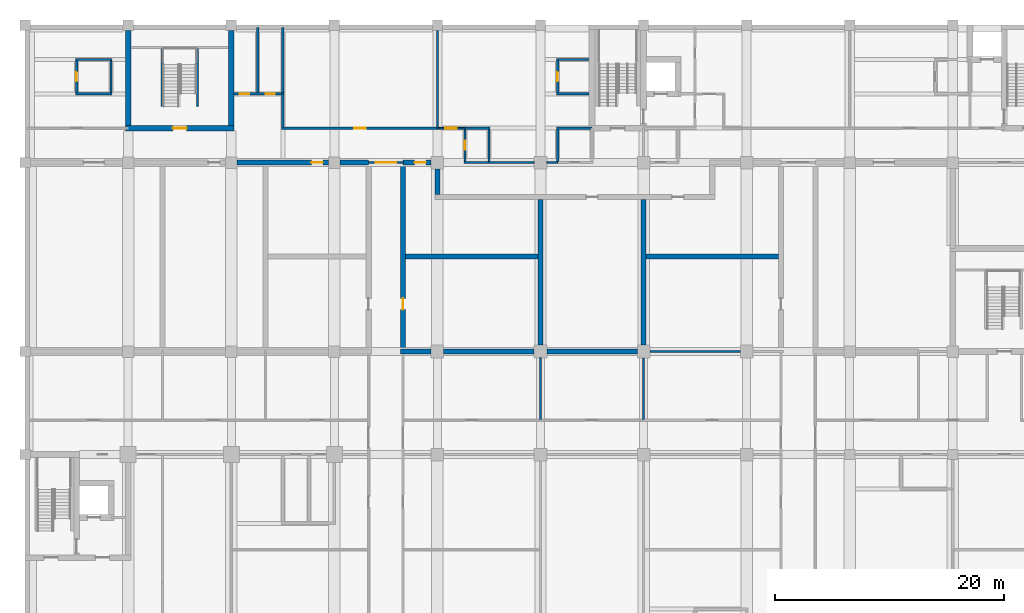
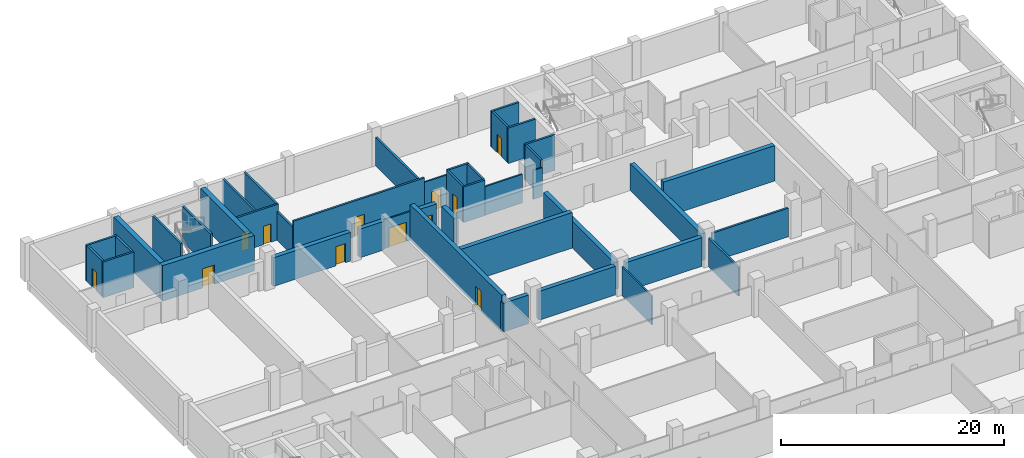
# One storey, part 8 of 16: 43 walls, 12 doors, 12 openings.
"""IFC4 building model written with IfcOpenShell, lengths in metres."""

import ifcopenshell
import ifcopenshell.guid

model = None  # the IFC model being written
_history = None  # IfcOwnerHistory: only IFC2X3 demands one
_inside = {}  # id of a spatial element -> (the spatial element, [elements in it])
_under = {}  # id of a project, library or spatial element -> (it, [spatial elements below it])
_declared = {}  # id of a project -> (the project, [libraries it declares])
_typed = {}  # id of a type object -> (the type object, [elements of that type])
_made_of = {}  # id of a material, layer set ... -> (it, [elements and type objects made of it])


def new_model(schema):
    """Start an empty IFC model of exactly this schema.

    Asked for "IFC4X3", IfcOpenShell would pick the latest addendum, in which some entities
    have other attributes; the version numbers below select the first issue.
    IFC2X3 requires an IfcOwnerHistory on every rooted entity: one is made here for all.
    """
    global model, _history
    if schema == "IFC4X3":
        model = ifcopenshell.file(schema_version=(4, 3, 0, 0))
    else:
        model = ifcopenshell.file(schema=schema)
    _inside.clear()
    _under.clear()
    _declared.clear()
    _typed.clear()
    _made_of.clear()
    _history = None
    if model.schema == "IFC2X3":
        org = make("IfcOrganization", Name="unknown")
        user = make(
            "IfcPersonAndOrganization",
            ThePerson=make("IfcPerson", FamilyName="unknown"),
            TheOrganization=org,
        )
        app = make(
            "IfcApplication",
            ApplicationDeveloper=org,
            Version="unknown",
            ApplicationFullName="unknown",
            ApplicationIdentifier="unknown",
        )
        _history = make(
            "IfcOwnerHistory",
            OwningUser=user,
            OwningApplication=app,
            ChangeAction="ADDED",
            CreationDate=0,
        )
    return model


def make(cls, **values):
    """One entity of the class cls with the attributes given. An attribute that is None is left unset."""
    return model.create_entity(
        cls, **{name: value for name, value in values.items() if value is not None}
    )


def rooted(cls, **values):
    """An entity with a GlobalId (a new one), such as an element, a storey or a relation."""
    return make(cls, GlobalId=ifcopenshell.guid.new(), OwnerHistory=_history, **values)


def si_unit(unit_type, name, prefix=None):
    """IfcSIUnit, for example si_unit("LENGTHUNIT", "METRE", prefix="MILLI")."""
    return make("IfcSIUnit", UnitType=unit_type, Prefix=prefix, Name=name)


def assignment(units):
    """IfcUnitAssignment: the units of a project."""
    return None if units is None else make("IfcUnitAssignment", Units=units)


def point(xyz):
    """IfcCartesianPoint."""
    return None if xyz is None else make("IfcCartesianPoint", Coordinates=xyz)


def direction(xyz):
    """IfcDirection."""
    return None if xyz is None else make("IfcDirection", DirectionRatios=xyz)


def frame(location, z_axis=None, x_axis=None):
    """IfcAxis2Placement3D, a coordinate frame: its origin and axes. An axis left out is left unset."""
    return make(
        "IfcAxis2Placement3D",
        Location=point(location),
        Axis=direction(z_axis),
        RefDirection=direction(x_axis),
    )


def frame_2d(location, x_axis=None):
    """IfcAxis2Placement2D, a coordinate frame in the plane: its origin and x axis."""
    return make(
        "IfcAxis2Placement2D", Location=point(location), RefDirection=direction(x_axis)
    )


def origin():
    """The frame at (0, 0, 0) with its axes left unset."""
    return frame((0.0, 0.0, 0.0))


def place(relative_to, where):
    """IfcLocalPlacement: puts the frame where relative to a parent placement (None: the world)."""
    return make(
        "IfcLocalPlacement", PlacementRelTo=relative_to, RelativePlacement=where
    )


def context(
    kind, dimensions, precision=None, world=None, true_north=None, identifier=None
):
    """IfcGeometricRepresentationContext, for example the 3D "Model" context."""
    return make(
        "IfcGeometricRepresentationContext",
        ContextIdentifier=identifier,
        ContextType=kind,
        CoordinateSpaceDimension=dimensions,
        Precision=precision,
        WorldCoordinateSystem=world,
        TrueNorth=true_north,
    )


def subcontext(parent, identifier, kind, view, scale=None):
    """IfcGeometricRepresentationSubContext, for example "Body" below "Model"."""
    return make(
        "IfcGeometricRepresentationSubContext",
        ContextIdentifier=identifier,
        ContextType=kind,
        ParentContext=parent,
        TargetScale=scale,
        TargetView=view,
    )


def project(units=None, contexts=None):
    """IfcProject with its units and contexts."""
    return rooted(
        "IfcProject",
        Name="project",
        RepresentationContexts=contexts,
        UnitsInContext=assignment(units),
    )


def spatial(cls, under=None, at=None, **own):
    """A site, building, storey or space (cls), placed at a placement, below another one or the project."""
    s = rooted(cls, ObjectPlacement=at, **own)
    if under is not None:
        _under.setdefault(under.id(), (under, []))[1].append(s)
    return s


def profile(cls, at=None, kind="AREA", **sizes):
    """A parametric profile (cls). Its sizes go by their IFC names, for example OverallWidth=200.0."""
    return make(cls, ProfileType=kind, Position=at, **sizes)


def rectangle(**sizes):
    """IfcRectangleProfileDef."""
    return profile("IfcRectangleProfileDef", **sizes)


def extrude(swept, where, along, depth):
    """IfcExtrudedAreaSolid: the profile swept, set in the frame where, extruded along a direction by depth."""
    return make(
        "IfcExtrudedAreaSolid",
        SweptArea=swept,
        Position=where,
        ExtrudedDirection=direction(along),
        Depth=depth,
    )


def shape(context_of_items, identifier, shape_type, items):
    """IfcShapeRepresentation: the items that make up one representation, for example the "Body"."""
    return make(
        "IfcShapeRepresentation",
        ContextOfItems=context_of_items,
        RepresentationIdentifier=identifier,
        RepresentationType=shape_type,
        Items=items,
    )


def material(Name=None, Category=None):
    """IfcMaterial."""
    return make("IfcMaterial", Name=Name, Category=Category)


def layer(
    of_material, thickness, ventilated=None, Name=None, Category=None, Priority=None
):
    """IfcMaterialLayer: one layer of a wall or slab, of a material (None: an air gap)."""
    return make(
        "IfcMaterialLayer",
        Material=of_material,
        LayerThickness=thickness,
        IsVentilated=ventilated,
        Name=Name,
        Category=Category,
        Priority=Priority,
    )


def layer_set(layers, Name=None):
    """IfcMaterialLayerSet."""
    return make("IfcMaterialLayerSet", MaterialLayers=layers, LayerSetName=Name)


def made_of(thing, what):
    """Note that an element or type object is made of a material, layer set ...; save() writes the relation."""
    if what is not None:
        _made_of.setdefault(what.id(), (what, []))[1].append(thing)
    return thing


def type_object(cls, material=None, **own):
    """A type object (cls), such as IfcWallType, which elements share."""
    return made_of(rooted(cls, **own), material)


def element(
    cls,
    number,
    at=None,
    inside=None,
    cuts=None,
    type_object=None,
    material=None,
    context=None,
    identifier="Body",
    shape_type=None,
    held_by="IfcProductDefinitionShape",
    body=None,
    shapes=None,
    **own,
):
    """One element of the class cls, such as IfcWall. Its Tag is "e" and its number.

    at: its placement. inside: the storey or other place that contains it. cuts: it is an
    opening in that element (IfcRelVoidsElement). A single representation is given by context,
    identifier, shape_type and body (its items); several are given by shapes. held_by: the class
    of the entity that holds the representations. save() writes the other relations.
    """
    e = rooted(cls, Tag="e%d" % number, ObjectPlacement=at, **own)
    if body is not None:
        shapes = [shape(context, identifier, shape_type, body)]
    if shapes is not None:
        e.Representation = make(held_by, Representations=shapes)
    if inside is not None:
        _inside.setdefault(inside.id(), (inside, []))[1].append(e)
    if cuts is not None:
        rooted(
            "IfcRelVoidsElement", RelatingBuildingElement=cuts, RelatedOpeningElement=e
        )
    if type_object is not None:
        _typed.setdefault(type_object.id(), (type_object, []))[1].append(e)
    return made_of(e, material)


def fill(opening, filler):
    """IfcRelFillsElement: the door or window that sits in an opening."""
    return rooted(
        "IfcRelFillsElement",
        RelatingOpeningElement=opening,
        RelatedBuildingElement=filler,
    )


def aggregate(whole, parts):
    """IfcRelAggregates: a whole, such as a stair, and the parts it consists of."""
    return rooted("IfcRelAggregates", RelatingObject=whole, RelatedObjects=parts)


def save(model, path):
    """Write the relations noted so far, then the file.

    IfcRelAggregates (storeys below a building ...), IfcRelContainedInSpatialStructure (elements
    in a storey), IfcRelDefinesByType, IfcRelAssociatesMaterial and IfcRelDeclares: one each for
    every whole, place, type object, material and project.
    """
    for whole, parts in _under.values():
        aggregate(whole, parts)
    for where, things in _inside.values():
        rooted(
            "IfcRelContainedInSpatialStructure",
            RelatedElements=things,
            RelatingStructure=where,
        )
    for kind, things in _typed.values():
        rooted("IfcRelDefinesByType", RelatedObjects=things, RelatingType=kind)
    for what, things in _made_of.values():
        rooted("IfcRelAssociatesMaterial", RelatedObjects=things, RelatingMaterial=what)
    for by, libraries in _declared.values():
        rooted("IfcRelDeclares", RelatingContext=by, RelatedDefinitions=libraries)
    model.write(path)


model = new_model("IFC4")

# Units and contexts
model_context = context("Model", 3, precision=1e-05, world=origin(), true_north=direction((0.0, 1.0)))
body_context = subcontext(model_context, "Body", "Model", "MODEL_VIEW")
ifc_project = project(units=[si_unit("LENGTHUNIT", "METRE"), si_unit("AREAUNIT", "SQUARE_METRE"), si_unit("VOLUMEUNIT", "CUBIC_METRE"), si_unit("PLANEANGLEUNIT", "RADIAN"), si_unit("MASSUNIT", "GRAM", prefix="KILO")], contexts=[model_context])

# Site, building, storey
site_placement = place(None, origin())
site = spatial("IfcSite", under=ifc_project, at=site_placement, CompositionType="ELEMENT")
building_placement = place(site_placement, origin())
building = spatial("IfcBuilding", under=site, at=building_placement, Name="Aurelan Courthouse", CompositionType="ELEMENT")
storey_placement = place(building_placement, frame((0.0, 0.0, -4.199951171875)))
storey = spatial("IfcBuildingStorey", under=building, at=storey_placement, Name="B1", CompositionType="ELEMENT", Elevation=-4.199951171875)

# Walls
ifc_material_1 = material(Name="Reinforced concrete block", Category="concrete")
ifc_layer_1 = layer(ifc_material_1, 0.449951171875)
ifc_layer_set_1 = layer_set([ifc_layer_1], Name="Reinforced concrete block")
wall_type_1 = type_object("IfcWallType", Name="Archive fire wall 450 EI 60", PredefinedType="PARTITIONING", material=ifc_layer_set_1)
wall_1_placement = place(storey_placement, frame((32.77490234375, 37.5, 0.0), z_axis=(0.0, 0.0, 1.0), x_axis=(1.0, 0.0, 0.0)))
element("IfcWall", 1, at=wall_1_placement, inside=storey, type_object=wall_type_1, Name="Archive fire wall B1-046", PredefinedType="PARTITIONING", context=body_context, shape_type="SweptSolid", body=[
    extrude(rectangle(XDim=2.675048828125, YDim=0.449951171875, at=frame_2d((1.33740234375, 0.0))), origin(), (0.0, 0.0, 1.0), 3.14990234375),
])
for number, where, z_axis, x_axis, name in (
    (2, (36.550048828125, 37.5, 0.0), (0.0, 0.0, 1.0), (1.0, 0.0, 0.0), "Archive fire wall B1-047"),
    (3, (45.550048828125, 37.5, 0.0), (0.0, 0.0, 1.0), (1.0, 0.0, 0.0), "Archive fire wall B1-048"),
):
    element("IfcWall", number, at=place(storey_placement, frame(where, z_axis=z_axis, x_axis=x_axis)), inside=storey, type_object=wall_type_1, Name=name, PredefinedType="PARTITIONING", context=body_context, shape_type="SweptSolid", body=[
        extrude(rectangle(XDim=7.89990234375, YDim=0.449951171875, at=frame_2d((3.949951171875, 0.0))), origin(), (0.0, 0.0, 1.0), 3.14990234375),
    ])
for number, where, z_axis, x_axis, name in (
    (4, (33.22509765625, 45.800048828125, 0.0), (0.0, 0.0, 1.0), (1.0, 0.0, 0.0), "Archive fire wall B1-055"),
    (5, (54.22509765625, 45.800048828125, 0.0), (0.0, 0.0, 1.0), (1.0, 0.0, 0.0), "Archive fire wall B1-056"),
):
    element("IfcWall", number, at=place(storey_placement, frame(where, z_axis=z_axis, x_axis=x_axis)), inside=storey, type_object=wall_type_1, Name=name, PredefinedType="PARTITIONING", context=body_context, shape_type="SweptSolid", body=[
        extrude(rectangle(XDim=11.5498046875, YDim=0.449951171875, at=frame_2d((5.77490234375, 0.0))), origin(), (0.0, 0.0, 1.0), 3.89990234375),
    ])

# Wall, opening, door
wall_2_placement = place(storey_placement, frame((18.5, 54.0, 0.0), z_axis=(0.0, 0.0, 1.0), x_axis=(1.0, 0.0, 0.0)))
wall_2 = element("IfcWall", 6, at=wall_2_placement, inside=storey, type_object=wall_type_1, Name="Archive fire wall B1-060", PredefinedType="PARTITIONING", context=body_context, shape_type="SweptSolid", body=[
    extrude(rectangle(XDim=8.0, YDim=0.449951171875, at=frame_2d((4.0, 0.0))), origin(), (0.0, 0.0, 1.0), 3.14990234375),
])
opening_1_placement = place(wall_2_placement, frame((7.5, 0.0, 0.0), z_axis=(0.0, 0.0, 1.0), x_axis=(-1.0, 0.0, 0.0)))
opening_1 = element("IfcOpeningElement", 7, at=opening_1_placement, cuts=wall_2, Name="Opening D-B1-042", PredefinedType="OPENING", context=body_context, shape_type="SweptSolid", body=[
    extrude(rectangle(XDim=1.0, YDim=2.10009765625, at=frame_2d((0.5, 1.050048828125))), frame((0.0, 0.23486328125, 0.0), z_axis=(0.0, -1.0, 0.0), x_axis=(1.0, 0.0, 0.0)), (0.0, 0.0, 1.0), 0.469970703125),
])
ifc_material_2 = material(Name="Steel", Category="steel")
door_type_1 = type_object("IfcDoorType", Name="Single door 1000 x 2100 FD60", OperationType="SINGLE_SWING_LEFT", PredefinedType="DOOR", material=ifc_material_2)
door_1_placement = place(opening_1_placement, origin())
door_1 = element("IfcDoor", 8, at=door_1_placement, inside=storey, type_object=door_type_1, Name="Single door D-B1-042", OperationType="SINGLE_SWING_RIGHT", OverallHeight=2.10009765625, OverallWidth=1.0, PredefinedType="DOOR", context=body_context, shape_type="SweptSolid", body=[
    extrude(rectangle(XDim=1.0, YDim=2.10009765625, at=frame_2d((0.5, 1.050048828125))), frame((0.0, 0.02490234375, 0.0), z_axis=(0.0, -1.0, 0.0), x_axis=(1.0, 0.0, 0.0)), (0.0, 0.0, 1.0), 0.050048828125),
])
fill(opening_1, door_1)

# Wall
wall_3_placement = place(storey_placement, frame((27.5, 54.0, 0.0), z_axis=(0.0, 0.0, 1.0), x_axis=(1.0, 0.0, 0.0)))
element("IfcWall", 9, at=wall_3_placement, inside=storey, type_object=wall_type_1, Name="Archive fire wall B1-061", PredefinedType="PARTITIONING", context=body_context, shape_type="SweptSolid", body=[
    extrude(rectangle(XDim=2.5, YDim=0.449951171875, at=frame_2d((1.25, 0.0))), origin(), (0.0, 0.0, 1.0), 3.14990234375),
])

# Wall, opening, door
wall_4_placement = place(storey_placement, frame((33.0, 54.0, 0.0), z_axis=(0.0, 0.0, 1.0), x_axis=(1.0, 0.0, 0.0)))
wall_4 = element("IfcWall", 10, at=wall_4_placement, inside=storey, type_object=wall_type_1, Name="Archive fire wall B1-063", PredefinedType="PARTITIONING", context=body_context, shape_type="SweptSolid", body=[
    extrude(rectangle(XDim=2.449951171875, YDim=0.449951171875, at=frame_2d((1.22509765625, 0.0))), origin(), (0.0, 0.0, 1.0), 3.14990234375),
])
opening_2_placement = place(wall_4_placement, frame((2.0, 0.0, 0.0), z_axis=(0.0, 0.0, 1.0), x_axis=(-1.0, 0.0, 0.0)))
opening_2 = element("IfcOpeningElement", 11, at=opening_2_placement, cuts=wall_4, Name="Opening D-B1-035", PredefinedType="OPENING", context=body_context, shape_type="SweptSolid", body=[
    extrude(rectangle(XDim=1.0, YDim=2.10009765625, at=frame_2d((0.5, 1.050048828125))), frame((0.0, 0.23486328125, 0.0), z_axis=(0.0, -1.0, 0.0), x_axis=(1.0, 0.0, 0.0)), (0.0, 0.0, 1.0), 0.469970703125),
])
door_2_placement = place(opening_2_placement, origin())
door_2 = element("IfcDoor", 12, at=door_2_placement, inside=storey, type_object=door_type_1, Name="Single door D-B1-035", OperationType="SINGLE_SWING_LEFT", OverallHeight=2.10009765625, OverallWidth=1.0, PredefinedType="DOOR", context=body_context, shape_type="SweptSolid", body=[
    extrude(rectangle(XDim=1.0, YDim=2.10009765625, at=frame_2d((0.5, 1.050048828125))), frame((0.0, 0.02490234375, 0.0), z_axis=(0.0, -1.0, 0.0), x_axis=(1.0, 0.0, 0.0)), (0.0, 0.0, 1.0), 0.050048828125),
])
fill(opening_2, door_2)

wall_5_placement = place(storey_placement, frame((33.0, 37.5, 0.0), z_axis=(0.0, 0.0, 1.0), x_axis=(0.0, 1.0, 0.0)))
wall_5 = element("IfcWall", 13, at=wall_5_placement, inside=storey, type_object=wall_type_1, Name="Archive fire wall B1-113", PredefinedType="PARTITIONING", context=body_context, shape_type="SweptSolid", body=[
    extrude(rectangle(XDim=16.425048828125, YDim=0.449951171875, at=frame_2d((8.21240234375, 0.0))), origin(), (0.0, 0.0, 1.0), 3.89990234375),
])
opening_3_placement = place(wall_5_placement, frame((4.64990234375, 0.0, 0.0), z_axis=(0.0, 0.0, 1.0), x_axis=(-1.0, 0.0, 0.0)))
opening_3 = element("IfcOpeningElement", 14, at=opening_3_placement, cuts=wall_5, Name="Opening D-B1-034", PredefinedType="OPENING", context=body_context, shape_type="SweptSolid", body=[
    extrude(rectangle(XDim=1.0, YDim=2.10009765625, at=frame_2d((0.5, 1.050048828125))), frame((0.0, 0.23486328125, 0.0), z_axis=(0.0, -1.0, 0.0), x_axis=(1.0, 0.0, 0.0)), (0.0, 0.0, 1.0), 0.469970703125),
])
door_3_placement = place(opening_3_placement, origin())
door_3 = element("IfcDoor", 15, at=door_3_placement, inside=storey, type_object=door_type_1, Name="Single door D-B1-034", OperationType="SINGLE_SWING_RIGHT", OverallHeight=2.10009765625, OverallWidth=1.0, PredefinedType="DOOR", context=body_context, shape_type="SweptSolid", body=[
    extrude(rectangle(XDim=1.0, YDim=2.10009765625, at=frame_2d((0.5, 1.050048828125))), frame((0.0, 0.02490234375, 0.0), z_axis=(0.0, -1.0, 0.0), x_axis=(1.0, 0.0, 0.0)), (0.0, 0.0, 1.0), 0.050048828125),
])
fill(opening_3, door_3)

# Walls
wall_6_placement = place(storey_placement, frame((36.0, 51.22509765625, 0.0), z_axis=(0.0, 0.0, 1.0), x_axis=(0.0, 1.0, 0.0)))
element("IfcWall", 16, at=wall_6_placement, inside=storey, type_object=wall_type_1, Name="Archive fire wall B1-114", PredefinedType="PARTITIONING", context=body_context, shape_type="SweptSolid", body=[
    extrude(rectangle(XDim=2.224853515625, YDim=0.449951171875, at=frame_2d((1.1123046875, 0.0))), origin(), (0.0, 0.0, 1.0), 2.949951171875),
])
for number, where, z_axis, x_axis, name in (
    (17, (45.0, 38.050048828125, 0.0), (0.0, 0.0, 1.0), (0.0, 1.0, 0.0), "Archive fire wall B1-121"),
    (18, (54.0, 38.050048828125, 0.0), (0.0, 0.0, 1.0), (0.0, 1.0, 0.0), "Archive fire wall B1-127"),
):
    element("IfcWall", number, at=place(storey_placement, frame(where, z_axis=z_axis, x_axis=x_axis)), inside=storey, type_object=wall_type_1, Name=name, PredefinedType="PARTITIONING", context=body_context, shape_type="SweptSolid", body=[
        extrude(rectangle(XDim=12.724853515625, YDim=0.449951171875, at=frame_2d((6.3623046875, 0.0))), origin(), (0.0, 0.0, 1.0), 2.949951171875),
    ])

# Wall, opening, door
ifc_material_3 = material(Name="Gypsum board on metal studs")
ifc_layer_2 = layer(ifc_material_3, 0.14990234375)
ifc_layer_set_2 = layer_set([ifc_layer_2], Name="Gypsum board on metal studs")
wall_type_2 = type_object("IfcWallType", Name="Corridor partition 150 EI 60", PredefinedType="PARTITIONING", material=ifc_layer_set_2)
wall_7_placement = place(storey_placement, frame((30.0, 54.0, 0.0), z_axis=(0.0, 0.0, 1.0), x_axis=(1.0, 0.0, 0.0)))
wall_7 = element("IfcWall", 19, at=wall_7_placement, inside=storey, type_object=wall_type_2, Name="Corridor partition B1-062", PredefinedType="PARTITIONING", context=body_context, shape_type="SweptSolid", body=[
    extrude(rectangle(XDim=3.0, YDim=0.14990234375, at=frame_2d((1.5, 0.0))), origin(), (0.0, 0.0, 1.0), 3.14990234375),
])
opening_4_placement = place(wall_7_placement, frame((2.400146484375, 0.0, 0.0), z_axis=(0.0, 0.0, 1.0), x_axis=(-1.0, 0.0, 0.0)))
opening_4 = element("IfcOpeningElement", 20, at=opening_4_placement, cuts=wall_7, Name="Opening D-B1-004", PredefinedType="OPENING", context=body_context, shape_type="SweptSolid", body=[
    extrude(rectangle(XDim=1.800048828125, YDim=2.10009765625, at=frame_2d((0.89990234375, 1.050048828125))), frame((0.0, 0.0849609375, 0.0), z_axis=(0.0, -1.0, 0.0), x_axis=(1.0, 0.0, 0.0)), (0.0, 0.0, 1.0), 0.169921875),
])
door_type_2 = type_object("IfcDoorType", Name="Double door 1800 x 2100 FD60", OperationType="DOUBLE_DOOR_SINGLE_SWING", PredefinedType="DOOR", material=ifc_material_2)
door_4_placement = place(opening_4_placement, origin())
door_4 = element("IfcDoor", 21, at=door_4_placement, inside=storey, type_object=door_type_2, Name="Double door D-B1-004", OperationType="DOUBLE_DOOR_SINGLE_SWING", OverallHeight=2.10009765625, OverallWidth=1.800048828125, PredefinedType="DOOR", context=body_context, shape_type="SweptSolid", body=[
    extrude(rectangle(XDim=1.800048828125, YDim=2.10009765625, at=frame_2d((0.89990234375, 1.050048828125))), frame((0.0, 0.02490234375, 0.0), z_axis=(0.0, -1.0, 0.0), x_axis=(1.0, 0.0, 0.0)), (0.0, 0.0, 1.0), 0.050048828125),
])
fill(opening_4, door_4)

# Walls
wall_8_placement = place(storey_placement, frame((40.5, 54.0, 0.0), z_axis=(0.0, 0.0, 1.0), x_axis=(1.0, 0.0, 0.0)))
element("IfcWall", 22, at=wall_8_placement, inside=storey, type_object=wall_type_2, Name="Corridor partition B1-065", PredefinedType="PARTITIONING", context=body_context, shape_type="SweptSolid", body=[
    extrude(rectangle(XDim=3.949951171875, YDim=0.14990234375, at=frame_2d((1.97509765625, 0.0))), origin(), (0.0, 0.0, 1.0), 3.14990234375),
])
wall_9_placement = place(storey_placement, frame((45.550048828125, 54.0, 0.0), z_axis=(0.0, 0.0, 1.0), x_axis=(1.0, 0.0, 0.0)))
element("IfcWall", 23, at=wall_9_placement, inside=storey, type_object=wall_type_2, Name="Corridor partition B1-066", PredefinedType="PARTITIONING", context=body_context, shape_type="SweptSolid", body=[
    extrude(rectangle(XDim=0.949951171875, YDim=0.14990234375, at=frame_2d((0.47509765625, 0.0))), origin(), (0.0, 0.0, 1.0), 3.14990234375),
])

# Wall, opening, door
wall_10_placement = place(storey_placement, frame((36.0, 57.0, 0.0), z_axis=(0.0, 0.0, 1.0), x_axis=(1.0, 0.0, 0.0)))
wall_10 = element("IfcWall", 24, at=wall_10_placement, inside=storey, type_object=wall_type_2, Name="Corridor partition B1-077", PredefinedType="PARTITIONING", context=body_context, shape_type="SweptSolid", body=[
    extrude(rectangle(XDim=2.39990234375, YDim=0.14990234375, at=frame_2d((1.199951171875, 0.0))), origin(), (0.0, 0.0, 1.0), 3.39990234375),
])
opening_5_placement = place(wall_10_placement, frame((0.699951171875, 0.0, 0.0)))
opening_5 = element("IfcOpeningElement", 25, at=opening_5_placement, cuts=wall_10, Name="Opening D-B1-028", PredefinedType="OPENING", context=body_context, shape_type="SweptSolid", body=[
    extrude(rectangle(XDim=1.0, YDim=2.10009765625, at=frame_2d((0.5, 1.050048828125))), frame((0.0, 0.0849609375, 0.0), z_axis=(0.0, -1.0, 0.0), x_axis=(1.0, 0.0, 0.0)), (0.0, 0.0, 1.0), 0.169921875),
])
door_5_placement = place(opening_5_placement, origin())
door_5 = element("IfcDoor", 26, at=door_5_placement, inside=storey, type_object=door_type_1, Name="Single door D-B1-028", OperationType="SINGLE_SWING_LEFT", OverallHeight=2.10009765625, OverallWidth=1.0, PredefinedType="DOOR", context=body_context, shape_type="SweptSolid", body=[
    extrude(rectangle(XDim=1.0, YDim=2.10009765625, at=frame_2d((0.5, 1.050048828125))), frame((0.0, 0.02490234375, 0.0), z_axis=(0.0, -1.0, 0.0), x_axis=(1.0, 0.0, 0.0)), (0.0, 0.0, 1.0), 0.050048828125),
])
fill(opening_5, door_5)

# Walls
ifc_layer_3 = layer(ifc_material_3, 0.14990234375)
ifc_layer_set_3 = layer_set([ifc_layer_3], Name="Gypsum board on metal studs")
wall_type_3 = type_object("IfcWallType", Name="Partition 150 NOT RATED", PredefinedType="PARTITIONING", material=ifc_layer_set_3)
wall_11_placement = place(storey_placement, frame((45.0, 31.574951171875, 0.0), z_axis=(0.0, 0.0, 1.0), x_axis=(0.0, 1.0, 0.0)))
element("IfcWall", 27, at=wall_11_placement, inside=storey, type_object=wall_type_3, Name="Partition B1-120", PredefinedType="PARTITIONING", context=body_context, shape_type="SweptSolid", body=[
    extrude(rectangle(XDim=5.375, YDim=0.14990234375, at=frame_2d((2.6875, 0.0))), origin(), (0.0, 0.0, 1.0), 3.14990234375),
])
ifc_material_4 = material(Name="Masonry block", Category="masonry")
ifc_layer_4 = layer(ifc_material_4, 0.199951171875)
ifc_layer_set_4 = layer_set([ifc_layer_4], Name="Masonry block")
wall_type_4 = type_object("IfcWallType", Name="Plant room wall 200 EI 120", PredefinedType="PARTITIONING", material=ifc_layer_set_4)
wall_12_placement = place(storey_placement, frame((54.550048828125, 37.5, 0.0), z_axis=(0.0, 0.0, 1.0), x_axis=(1.0, 0.0, 0.0)))
element("IfcWall", 28, at=wall_12_placement, inside=storey, type_object=wall_type_4, Name="Plant room wall B1-049", PredefinedType="PARTITIONING", context=body_context, shape_type="SweptSolid", body=[
    extrude(rectangle(XDim=7.89990234375, YDim=0.199951171875, at=frame_2d((3.949951171875, 0.0))), origin(), (0.0, 0.0, 1.0), 3.14990234375),
])

# Wall, opening, door
wall_13_placement = place(storey_placement, frame((22.39990234375, 57.0, 0.0), z_axis=(0.0, 0.0, 1.0), x_axis=(1.0, 0.0, 0.0)))
wall_13 = element("IfcWall", 29, at=wall_13_placement, inside=storey, type_object=wall_type_4, Name="Plant room wall B1-076", PredefinedType="PARTITIONING", context=body_context, shape_type="SweptSolid", body=[
    extrude(rectangle(XDim=13.60009765625, YDim=0.199951171875, at=frame_2d((6.800048828125, 0.0))), origin(), (0.0, 0.0, 1.0), 3.89990234375),
])
opening_6_placement = place(wall_13_placement, frame((6.35009765625, 0.0, 0.0)))
opening_6 = element("IfcOpeningElement", 30, at=opening_6_placement, cuts=wall_13, Name="Opening D-B1-027", PredefinedType="OPENING", context=body_context, shape_type="SweptSolid", body=[
    extrude(rectangle(XDim=1.0, YDim=2.10009765625, at=frame_2d((0.5, 1.050048828125))), frame((0.0, 0.10986328125, 0.0), z_axis=(0.0, -1.0, 0.0), x_axis=(1.0, 0.0, 0.0)), (0.0, 0.0, 1.0), 0.219970703125),
])
door_type_3 = type_object("IfcDoorType", Name="Single door 1000 x 2100 FD90", OperationType="SINGLE_SWING_LEFT", PredefinedType="DOOR", material=ifc_material_2)
door_6_placement = place(opening_6_placement, origin())
door_6 = element("IfcDoor", 31, at=door_6_placement, inside=storey, type_object=door_type_3, Name="Single door D-B1-027", OperationType="SINGLE_SWING_RIGHT", OverallHeight=2.10009765625, OverallWidth=1.0, PredefinedType="DOOR", context=body_context, shape_type="SweptSolid", body=[
    extrude(rectangle(XDim=1.0, YDim=2.10009765625, at=frame_2d((0.5, 1.050048828125))), frame((0.0, 0.02490234375, 0.0), z_axis=(0.0, -1.0, 0.0), x_axis=(1.0, 0.0, 0.0)), (0.0, 0.0, 1.0), 0.050048828125),
])
fill(opening_6, door_6)

# Walls
wall_14_placement = place(storey_placement, frame((22.5, 57.10009765625, 0.0), z_axis=(0.0, 0.0, 1.0), x_axis=(0.0, 1.0, 0.0)))
element("IfcWall", 32, at=wall_14_placement, inside=storey, type_object=wall_type_4, Name="Plant room wall B1-105", PredefinedType="PARTITIONING", context=body_context, shape_type="SweptSolid", body=[
    extrude(rectangle(XDim=2.89990234375, YDim=0.199951171875, at=frame_2d((1.449951171875, 0.0))), origin(), (0.0, 0.0, 1.0), 3.14990234375),
])
wall_15_placement = place(storey_placement, frame((36.0, 57.074951171875, 0.0), z_axis=(0.0, 0.0, 1.0), x_axis=(0.0, 1.0, 0.0)))
element("IfcWall", 33, at=wall_15_placement, inside=storey, type_object=wall_type_4, Name="Plant room wall B1-115", PredefinedType="PARTITIONING", context=body_context, shape_type="SweptSolid", body=[
    extrude(rectangle(XDim=8.47509765625, YDim=0.199951171875, at=frame_2d((4.237548828125, 0.0))), origin(), (0.0, 0.0, 1.0), 3.14990234375),
])
wall_16_placement = place(storey_placement, frame((54.0, 31.574951171875, 0.0), z_axis=(0.0, 0.0, 1.0), x_axis=(0.0, 1.0, 0.0)))
element("IfcWall", 34, at=wall_16_placement, inside=storey, type_object=wall_type_4, Name="Plant room wall B1-126", PredefinedType="PARTITIONING", context=body_context, shape_type="SweptSolid", body=[
    extrude(rectangle(XDim=5.375, YDim=0.199951171875, at=frame_2d((2.6875, 0.0))), origin(), (0.0, 0.0, 1.0), 3.14990234375),
])

# Wall, opening, door
ifc_material_5 = material(Name="Concrete C50", Category="concrete")
ifc_layer_5 = layer(ifc_material_5, 0.5)
ifc_layer_set_5 = layer_set([ifc_layer_5], Name="Concrete C50")
wall_type_5 = type_object("IfcWallType", Name="RC shear wall 500", PredefinedType="SHEAR", material=ifc_layer_set_5)
wall_17_placement = place(storey_placement, frame((8.75, 57.0, 0.0), z_axis=(0.0, 0.0, 1.0), x_axis=(1.0, 0.0, 0.0)))
wall_17 = element("IfcWall", 35, at=wall_17_placement, inside=storey, type_object=wall_type_5, Name="Core wall SW-B1-035", PredefinedType="SHEAR", context=body_context, shape_type="SweptSolid", body=[
    extrude(rectangle(XDim=9.5, YDim=0.5, at=frame_2d((4.75, 0.0))), origin(), (0.0, 0.0, 1.0), 3.89990234375),
])
opening_7_placement = place(wall_17_placement, frame((4.14990234375, 0.0, 0.0)))
opening_7 = element("IfcOpeningElement", 36, at=opening_7_placement, cuts=wall_17, Name="Opening D-B1-052", PredefinedType="OPENING", context=body_context, shape_type="SweptSolid", body=[
    extrude(rectangle(XDim=1.199951171875, YDim=2.10009765625, at=frame_2d((0.60009765625, 1.050048828125))), frame((0.0, 0.260009765625, 0.0), z_axis=(0.0, -1.0, 0.0), x_axis=(1.0, 0.0, 0.0)), (0.0, 0.0, 1.0), 0.52001953125),
])
door_type_4 = type_object("IfcDoorType", Name="Single door 1200 x 2100 FD90", OperationType="SINGLE_SWING_LEFT", PredefinedType="DOOR", material=ifc_material_2)
door_7_placement = place(opening_7_placement, origin())
door_7 = element("IfcDoor", 37, at=door_7_placement, inside=storey, type_object=door_type_4, Name="Single door D-B1-052", OperationType="SINGLE_SWING_LEFT", OverallHeight=2.10009765625, OverallWidth=1.199951171875, PredefinedType="DOOR", context=body_context, shape_type="SweptSolid", body=[
    extrude(rectangle(XDim=1.199951171875, YDim=2.10009765625, at=frame_2d((0.60009765625, 1.050048828125))), frame((0.0, 0.02490234375, 0.0), z_axis=(0.0, -1.0, 0.0), x_axis=(1.0, 0.0, 0.0)), (0.0, 0.0, 1.0), 0.050048828125),
])
fill(opening_7, door_7)

# Walls
for number, where, z_axis, x_axis, name in (
    (38, (9.0, 57.25, 0.0), (0.0, 0.0, 1.0), (0.0, 1.0, 0.0), "Core wall SW-B1-038"),
    (39, (18.0, 57.25, 0.0), (0.0, 0.0, 1.0), (0.0, 1.0, 0.0), "Core wall SW-B1-039"),
):
    element("IfcWall", number, at=place(storey_placement, frame(where, z_axis=z_axis, x_axis=x_axis)), inside=storey, type_object=wall_type_5, Name=name, PredefinedType="SHEAR", context=body_context, shape_type="SweptSolid", body=[
        extrude(rectangle(XDim=8.300048828125, YDim=0.5, at=frame_2d((4.14990234375, 0.0))), origin(), (0.0, 0.0, 1.0), 3.89990234375),
    ])
ifc_material_6 = material(Name="Concrete C30", Category="concrete")
ifc_layer_6 = layer(ifc_material_6, 0.199951171875)
ifc_layer_set_6 = layer_set([ifc_layer_6], Name="Concrete C30")
wall_type_6 = type_object("IfcWallType", Name="Shaft wall 200 EI 120 load-bearing", PredefinedType="SHEAR", material=ifc_layer_set_6)
wall_18_placement = place(storey_placement, frame((38.300048828125, 54.0, 0.0), z_axis=(0.0, 0.0, 1.0), x_axis=(1.0, 0.0, 0.0)))
element("IfcWall", 40, at=wall_18_placement, inside=storey, type_object=wall_type_6, Name="Shaft wall B1-064", PredefinedType="SHEAR", context=body_context, shape_type="SweptSolid", body=[
    extrude(rectangle(XDim=2.199951171875, YDim=0.199951171875, at=frame_2d((1.10009765625, 0.0))), origin(), (0.0, 0.0, 1.0), 3.89990234375),
])
wall_19_placement = place(storey_placement, frame((38.39990234375, 57.0, 0.0), z_axis=(0.0, 0.0, 1.0), x_axis=(1.0, 0.0, 0.0)))
element("IfcWall", 41, at=wall_19_placement, inside=storey, type_object=wall_type_6, Name="Shaft wall B1-078", PredefinedType="SHEAR", context=body_context, shape_type="SweptSolid", body=[
    extrude(rectangle(XDim=2.2001953125, YDim=0.199951171875, at=frame_2d((1.10009765625, 0.0))), origin(), (0.0, 0.0, 1.0), 3.89990234375),
])
wall_20_placement = place(storey_placement, frame((46.39990234375, 57.0, 0.0), z_axis=(0.0, 0.0, 1.0), x_axis=(1.0, 0.0, 0.0)))
element("IfcWall", 42, at=wall_20_placement, inside=storey, type_object=wall_type_6, Name="Shaft wall B1-079", PredefinedType="SHEAR", context=body_context, shape_type="SweptSolid", body=[
    extrude(rectangle(XDim=3.10009765625, YDim=0.199951171875, at=frame_2d((1.550048828125, 0.0))), origin(), (0.0, 0.0, 1.0), 3.89990234375),
])
wall_21_placement = place(storey_placement, frame((4.39990234375, 60.0, 0.0), z_axis=(0.0, 0.0, 1.0), x_axis=(1.0, 0.0, 0.0)))
element("IfcWall", 43, at=wall_21_placement, inside=storey, type_object=wall_type_6, Name="Shaft wall B1-084", PredefinedType="SHEAR", context=body_context, shape_type="SweptSolid", body=[
    extrude(rectangle(XDim=3.2001953125, YDim=0.199951171875, at=frame_2d((1.60009765625, 0.0))), origin(), (0.0, 0.0, 1.0), 3.89990234375),
])

# Wall, openings, doors
wall_22_placement = place(storey_placement, frame((18.25, 60.0, 0.0), z_axis=(0.0, 0.0, 1.0), x_axis=(1.0, 0.0, 0.0)))
wall_22 = element("IfcWall", 44, at=wall_22_placement, inside=storey, type_object=wall_type_6, Name="Shaft wall B1-085", PredefinedType="SHEAR", context=body_context, shape_type="SweptSolid", body=[
    extrude(rectangle(XDim=4.35009765625, YDim=0.199951171875, at=frame_2d((2.175048828125, 0.0))), origin(), (0.0, 0.0, 1.0), 3.89990234375),
])
opening_8_placement = place(wall_22_placement, frame((0.5, 0.0, 0.0)))
opening_8 = element("IfcOpeningElement", 45, at=opening_8_placement, cuts=wall_22, Name="Opening D-B1-066", PredefinedType="OPENING", context=body_context, shape_type="SweptSolid", body=[
    extrude(rectangle(XDim=0.800048828125, YDim=2.0, at=frame_2d((0.39990234375, 1.0))), frame((0.0, 0.10986328125, 0.0), z_axis=(0.0, -1.0, 0.0), x_axis=(1.0, 0.0, 0.0)), (0.0, 0.0, 1.0), 0.219970703125),
])
opening_9_placement = place(wall_22_placement, frame((2.75, 0.0, 0.0)))
opening_9 = element("IfcOpeningElement", 46, at=opening_9_placement, cuts=wall_22, Name="Opening D-B1-067", PredefinedType="OPENING", context=body_context, shape_type="SweptSolid", body=[
    extrude(rectangle(XDim=0.800048828125, YDim=2.0, at=frame_2d((0.39990234375, 1.0))), frame((0.0, 0.10986328125, 0.0), z_axis=(0.0, -1.0, 0.0), x_axis=(1.0, 0.0, 0.0)), (0.0, 0.0, 1.0), 0.219970703125),
])
door_type_5 = type_object("IfcDoorType", Name="Single door 800 x 2000 FD90", OperationType="SINGLE_SWING_LEFT", PredefinedType="DOOR", material=ifc_material_2)
door_8_placement = place(opening_8_placement, origin())
door_8 = element("IfcDoor", 47, at=door_8_placement, inside=storey, type_object=door_type_5, Name="Single door D-B1-066", OperationType="SINGLE_SWING_LEFT", OverallHeight=2.0, OverallWidth=0.800048828125, PredefinedType="DOOR", context=body_context, shape_type="SweptSolid", body=[
    extrude(rectangle(XDim=0.800048828125, YDim=2.0, at=frame_2d((0.39990234375, 1.0))), frame((0.0, 0.02490234375, 0.0), z_axis=(0.0, -1.0, 0.0), x_axis=(1.0, 0.0, 0.0)), (0.0, 0.0, 1.0), 0.050048828125),
])
fill(opening_8, door_8)
door_9_placement = place(opening_9_placement, origin())
door_9 = element("IfcDoor", 48, at=door_9_placement, inside=storey, type_object=door_type_5, Name="Single door D-B1-067", OperationType="SINGLE_SWING_RIGHT", OverallHeight=2.0, OverallWidth=0.800048828125, PredefinedType="DOOR", context=body_context, shape_type="SweptSolid", body=[
    extrude(rectangle(XDim=0.800048828125, YDim=2.0, at=frame_2d((0.39990234375, 1.0))), frame((0.0, 0.02490234375, 0.0), z_axis=(0.0, -1.0, 0.0), x_axis=(1.0, 0.0, 0.0)), (0.0, 0.0, 1.0), 0.050048828125),
])
fill(opening_9, door_9)

# Walls
wall_23_placement = place(storey_placement, frame((46.39990234375, 60.0, 0.0), z_axis=(0.0, 0.0, 1.0), x_axis=(1.0, 0.0, 0.0)))
element("IfcWall", 49, at=wall_23_placement, inside=storey, type_object=wall_type_6, Name="Shaft wall B1-086", PredefinedType="SHEAR", context=body_context, shape_type="SweptSolid", body=[
    extrude(rectangle(XDim=2.85009765625, YDim=0.199951171875, at=frame_2d((1.425048828125, 0.0))), origin(), (0.0, 0.0, 1.0), 3.89990234375),
])
wall_24_placement = place(storey_placement, frame((4.39990234375, 63.0, 0.0), z_axis=(0.0, 0.0, 1.0), x_axis=(1.0, 0.0, 0.0)))
element("IfcWall", 50, at=wall_24_placement, inside=storey, type_object=wall_type_6, Name="Shaft wall B1-090", PredefinedType="SHEAR", context=body_context, shape_type="SweptSolid", body=[
    extrude(rectangle(XDim=3.2001953125, YDim=0.199951171875, at=frame_2d((1.60009765625, 0.0))), origin(), (0.0, 0.0, 1.0), 3.89990234375),
])
wall_25_placement = place(storey_placement, frame((46.39990234375, 63.0, 0.0), z_axis=(0.0, 0.0, 1.0), x_axis=(1.0, 0.0, 0.0)))
element("IfcWall", 51, at=wall_25_placement, inside=storey, type_object=wall_type_6, Name="Shaft wall B1-091", PredefinedType="SHEAR", context=body_context, shape_type="SweptSolid", body=[
    extrude(rectangle(XDim=2.85009765625, YDim=0.199951171875, at=frame_2d((1.425048828125, 0.0))), origin(), (0.0, 0.0, 1.0), 3.89990234375),
])

# Wall, opening, door
wall_26_placement = place(storey_placement, frame((4.5, 60.10009765625, 0.0), z_axis=(0.0, 0.0, 1.0), x_axis=(0.0, 1.0, 0.0)))
wall_26 = element("IfcWall", 52, at=wall_26_placement, inside=storey, type_object=wall_type_6, Name="Shaft wall B1-093", PredefinedType="SHEAR", context=body_context, shape_type="SweptSolid", body=[
    extrude(rectangle(XDim=2.7998046875, YDim=0.199951171875, at=frame_2d((1.39990234375, 0.0))), origin(), (0.0, 0.0, 1.0), 3.89990234375),
])
opening_10_placement = place(wall_26_placement, frame((1.0, 0.0, 0.0)))
opening_10 = element("IfcOpeningElement", 53, at=opening_10_placement, cuts=wall_26, Name="Opening D-B1-068", PredefinedType="OPENING", context=body_context, shape_type="SweptSolid", body=[
    extrude(rectangle(XDim=0.800048828125, YDim=2.0, at=frame_2d((0.39990234375, 1.0))), frame((0.0, 0.10986328125, 0.0), z_axis=(0.0, -1.0, 0.0), x_axis=(1.0, 0.0, 0.0)), (0.0, 0.0, 1.0), 0.219970703125),
])
door_10_placement = place(opening_10_placement, origin())
door_10 = element("IfcDoor", 54, at=door_10_placement, inside=storey, type_object=door_type_5, Name="Single door D-B1-068", OperationType="SINGLE_SWING_RIGHT", OverallHeight=2.0, OverallWidth=0.800048828125, PredefinedType="DOOR", context=body_context, shape_type="SweptSolid", body=[
    extrude(rectangle(XDim=0.800048828125, YDim=2.0, at=frame_2d((0.39990234375, 1.0))), frame((0.0, 0.02490234375, 0.0), z_axis=(0.0, -1.0, 0.0), x_axis=(1.0, 0.0, 0.0)), (0.0, 0.0, 1.0), 0.050048828125),
])
fill(opening_10, door_10)

# Walls
wall_27_placement = place(storey_placement, frame((7.5, 60.10009765625, 0.0), z_axis=(0.0, 0.0, 1.0), x_axis=(0.0, 1.0, 0.0)))
element("IfcWall", 55, at=wall_27_placement, inside=storey, type_object=wall_type_6, Name="Shaft wall B1-094", PredefinedType="SHEAR", context=body_context, shape_type="SweptSolid", body=[
    extrude(rectangle(XDim=2.7998046875, YDim=0.199951171875, at=frame_2d((1.39990234375, 0.0))), origin(), (0.0, 0.0, 1.0), 3.89990234375),
])
wall_28_placement = place(storey_placement, frame((20.300048828125, 60.10009765625, 0.0), z_axis=(0.0, 0.0, 1.0), x_axis=(0.0, 1.0, 0.0)))
element("IfcWall", 56, at=wall_28_placement, inside=storey, type_object=wall_type_6, Name="Shaft wall B1-101", PredefinedType="SHEAR", context=body_context, shape_type="SweptSolid", body=[
    extrude(rectangle(XDim=5.699951171875, YDim=0.199951171875, at=frame_2d((2.85009765625, 0.0))), origin(), (0.0, 0.0, 1.0), 3.89990234375),
])
wall_29_placement = place(storey_placement, frame((22.5, 60.0, 0.0), z_axis=(0.0, 0.0, 1.0), x_axis=(0.0, 1.0, 0.0)))
element("IfcWall", 57, at=wall_29_placement, inside=storey, type_object=wall_type_6, Name="Shaft wall B1-106", PredefinedType="SHEAR", context=body_context, shape_type="SweptSolid", body=[
    extrude(rectangle(XDim=5.800048828125, YDim=0.199951171875, at=frame_2d((2.89990234375, 0.0))), origin(), (0.0, 0.0, 1.0), 3.89990234375),
])

# Wall, opening, door
wall_30_placement = place(storey_placement, frame((38.39990234375, 54.10009765625, 0.0), z_axis=(0.0, 0.0, 1.0), x_axis=(0.0, 1.0, 0.0)))
wall_30 = element("IfcWall", 58, at=wall_30_placement, inside=storey, type_object=wall_type_6, Name="Shaft wall B1-116", PredefinedType="SHEAR", context=body_context, shape_type="SweptSolid", body=[
    extrude(rectangle(XDim=2.824951171875, YDim=0.199951171875, at=frame_2d((1.41259765625, 0.0))), origin(), (0.0, 0.0, 1.0), 3.89990234375),
])
opening_11_placement = place(wall_30_placement, frame((1.800048828125, 0.0, 0.0), z_axis=(0.0, 0.0, 1.0), x_axis=(-1.0, 0.0, 0.0)))
opening_11 = element("IfcOpeningElement", 59, at=opening_11_placement, cuts=wall_30, Name="Opening D-B1-058", PredefinedType="OPENING", context=body_context, shape_type="SweptSolid", body=[
    extrude(rectangle(XDim=0.800048828125, YDim=2.0, at=frame_2d((0.39990234375, 1.0))), frame((0.0, 0.10986328125, 0.0), z_axis=(0.0, -1.0, 0.0), x_axis=(1.0, 0.0, 0.0)), (0.0, 0.0, 1.0), 0.219970703125),
])
door_11_placement = place(opening_11_placement, origin())
door_11 = element("IfcDoor", 60, at=door_11_placement, inside=storey, type_object=door_type_5, Name="Single door D-B1-058", OperationType="SINGLE_SWING_RIGHT", OverallHeight=2.0, OverallWidth=0.800048828125, PredefinedType="DOOR", context=body_context, shape_type="SweptSolid", body=[
    extrude(rectangle(XDim=0.800048828125, YDim=2.0, at=frame_2d((0.39990234375, 1.0))), frame((0.0, 0.02490234375, 0.0), z_axis=(0.0, -1.0, 0.0), x_axis=(1.0, 0.0, 0.0)), (0.0, 0.0, 1.0), 0.050048828125),
])
fill(opening_11, door_11)

# Walls
for number, where, z_axis, x_axis, name in (
    (61, (40.5, 54.074951171875, 0.0), (0.0, 0.0, 1.0), (0.0, 1.0, 0.0), "Shaft wall B1-117"),
    (62, (46.5, 54.074951171875, 0.0), (0.0, 0.0, 1.0), (0.0, 1.0, 0.0), "Shaft wall B1-122"),
):
    element("IfcWall", number, at=place(storey_placement, frame(where, z_axis=z_axis, x_axis=x_axis)), inside=storey, type_object=wall_type_6, Name=name, PredefinedType="SHEAR", context=body_context, shape_type="SweptSolid", body=[
        extrude(rectangle(XDim=2.824951171875, YDim=0.199951171875, at=frame_2d((1.41259765625, 0.0))), origin(), (0.0, 0.0, 1.0), 3.89990234375),
    ])

# Wall, opening, door
wall_31_placement = place(storey_placement, frame((46.5, 60.10009765625, 0.0), z_axis=(0.0, 0.0, 1.0), x_axis=(0.0, 1.0, 0.0)))
wall_31 = element("IfcWall", 63, at=wall_31_placement, inside=storey, type_object=wall_type_6, Name="Shaft wall B1-123", PredefinedType="SHEAR", context=body_context, shape_type="SweptSolid", body=[
    extrude(rectangle(XDim=2.7998046875, YDim=0.199951171875, at=frame_2d((1.39990234375, 0.0))), origin(), (0.0, 0.0, 1.0), 3.89990234375),
])
opening_12_placement = place(wall_31_placement, frame((1.0, 0.0, 0.0)))
opening_12 = element("IfcOpeningElement", 64, at=opening_12_placement, cuts=wall_31, Name="Opening D-B1-059", PredefinedType="OPENING", context=body_context, shape_type="SweptSolid", body=[
    extrude(rectangle(XDim=0.800048828125, YDim=2.0, at=frame_2d((0.39990234375, 1.0))), frame((0.0, 0.10986328125, 0.0), z_axis=(0.0, -1.0, 0.0), x_axis=(1.0, 0.0, 0.0)), (0.0, 0.0, 1.0), 0.219970703125),
])
door_12_placement = place(opening_12_placement, origin())
door_12 = element("IfcDoor", 65, at=door_12_placement, inside=storey, type_object=door_type_5, Name="Single door D-B1-059", OperationType="SINGLE_SWING_RIGHT", OverallHeight=2.0, OverallWidth=0.800048828125, PredefinedType="DOOR", context=body_context, shape_type="SweptSolid", body=[
    extrude(rectangle(XDim=0.800048828125, YDim=2.0, at=frame_2d((0.39990234375, 1.0))), frame((0.0, 0.02490234375, 0.0), z_axis=(0.0, -1.0, 0.0), x_axis=(1.0, 0.0, 0.0)), (0.0, 0.0, 1.0), 0.050048828125),
])
fill(opening_12, door_12)

# Walls
ifc_layer_7 = layer(ifc_material_6, 0.199951171875)
ifc_layer_set_7 = layer_set([ifc_layer_7], Name="Concrete C30")
wall_type_7 = type_object("IfcWallType", Name="Stair well wall 200 EI 120 load-bearing", PredefinedType="SHEAR", material=ifc_layer_set_7)
for number, where, z_axis, x_axis, name in (
    (66, (11.949951171875, 58.905029296875, 0.0), (0.0, 0.0, 1.0), (0.0, 1.0, 0.0), "Stair well wall BS-3-B1 A"),
    (67, (15.050048828125, 58.905029296875, 0.0), (0.0, 0.0, 1.0), (0.0, 1.0, 0.0), "Stair well wall BS-3-B1 B"),
):
    element("IfcWall", number, at=place(storey_placement, frame(where, z_axis=z_axis, x_axis=x_axis)), inside=storey, type_object=wall_type_7, Name=name, PredefinedType="SHEAR", context=body_context, shape_type="SweptSolid", body=[
        extrude(rectangle(XDim=5.0400390625, YDim=0.199951171875, at=frame_2d((2.52001953125, 0.0))), origin(), (0.0, 0.0, 1.0), 3.89990234375),
    ])

save(model, "model.ifc")
